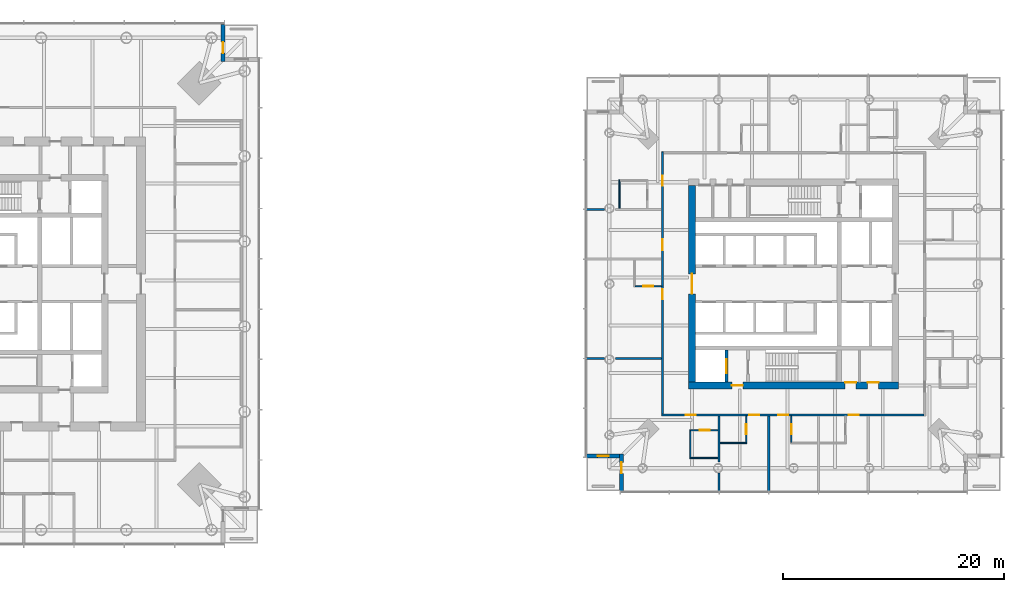
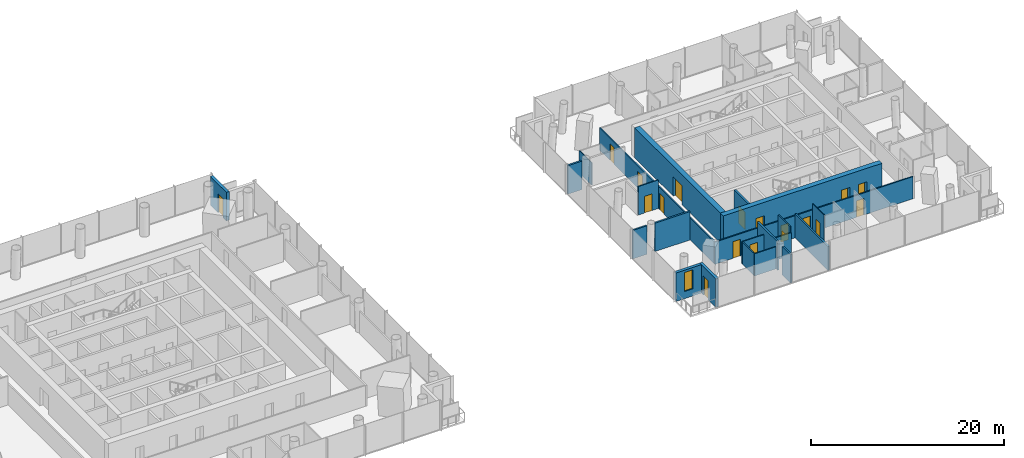
# One storey, part 12 of 18: 22 walls, 18 doors, 1 window, 19 openings.
"""IFC4 building model written with IfcOpenShell, lengths in metres."""

from ifc_helpers import new_model, si_unit, direction, frame, frame_2d, origin, place, context, subcontext, project, spatial, rectangle, extrude, material, layer, layer_set, type_object, element, fill, save


model = new_model("IFC4")

# Units and contexts
model_context = context("Model", 3, precision=1e-05, world=origin(), true_north=direction((0.0, 1.0)))
body_context = subcontext(model_context, "Body", "Model", "MODEL_VIEW")
ifc_project = project(units=[si_unit("LENGTHUNIT", "METRE"), si_unit("AREAUNIT", "SQUARE_METRE"), si_unit("VOLUMEUNIT", "CUBIC_METRE"), si_unit("PLANEANGLEUNIT", "RADIAN"), si_unit("MASSUNIT", "GRAM", prefix="KILO")], contexts=[model_context])

# Site, building, storey
site_placement = place(None, origin())
site = spatial("IfcSite", under=ifc_project, at=site_placement, CompositionType="ELEMENT")
building_placement = place(site_placement, origin())
building = spatial("IfcBuilding", under=site, at=building_placement, Name="Ostroluk Exchange", CompositionType="ELEMENT")
storey_placement = place(building_placement, frame((0.0, 0.0, 74.199951171875)))
storey = spatial("IfcBuildingStorey", under=building, at=storey_placement, Name="L18", CompositionType="ELEMENT", Elevation=74.199951171875)

# Wall, opening, door
ifc_material_1 = material(Name="Concrete C40/50", Category="concrete")
ifc_layer_1 = layer(ifc_material_1, 0.25)
ifc_layer_set_1 = layer_set([ifc_layer_1], Name="Core shaft wall 250")
wall_type_1 = type_object("IfcWallType", Name="Core shaft wall 250", PredefinedType="SHEAR", material=ifc_layer_set_1)
wall_1_placement = place(storey_placement, frame((110.925048828125, 37.10009765625, 0.0), z_axis=(0.0, 0.0, 1.0), x_axis=(0.0, 1.0, 0.0)))
wall_1 = element("IfcWall", 1, at=wall_1_placement, inside=storey, type_object=wall_type_1, Name="Firefighting lift shaft wall", PredefinedType="SHEAR", context=body_context, shape_type="SweptSolid", body=[
    extrude(rectangle(XDim=2.89990234375, YDim=0.25, at=frame_2d((1.449951171875, 0.0))), origin(), (0.0, 0.0, 1.0), 3.800048828125),
])
opening_1_placement = place(wall_1_placement, frame((0.800048828125, 0.0, 0.0)))
opening_1 = element("IfcOpeningElement", 2, at=opening_1_placement, cuts=wall_1, Name="Opening LD2", PredefinedType="OPENING", context=body_context, shape_type="SweptSolid", body=[
    extrude(rectangle(XDim=1.300048828125, YDim=2.199951171875, at=frame_2d((0.64990234375, 1.10009765625))), frame((0.0, 0.135009765625, 0.0), z_axis=(0.0, -1.0, 0.0), x_axis=(1.0, 0.0, 0.0)), (0.0, 0.0, 1.0), 0.27001953125),
])
ifc_material_2 = material(Name="Stainless steel", Category="steel")
door_type_1 = type_object("IfcDoorType", Name="Lift landing door E 60 1300 x 2200", OperationType="DOUBLE_DOOR_SLIDING", PredefinedType="DOOR", material=ifc_material_2)
door_1_placement = place(opening_1_placement, origin())
door_1 = element("IfcDoor", 3, at=door_1_placement, inside=storey, type_object=door_type_1, Name="Lift HF1 landing door", OperationType="DOUBLE_DOOR_SLIDING", OverallHeight=2.199951171875, OverallWidth=1.300048828125, PredefinedType="DOOR", context=body_context, shape_type="SweptSolid", body=[
    extrude(rectangle(XDim=1.300048828125, YDim=2.199951171875, at=frame_2d((0.64990234375, 1.10009765625))), frame((0.0, 0.02490234375, 0.0), z_axis=(0.0, -1.0, 0.0), x_axis=(1.0, 0.0, 0.0)), (0.0, 0.0, 1.0), 0.050048828125),
])
fill(opening_1, door_1)

# Wall, openings, doors
ifc_material_3 = material(Name="Concrete C50/60", Category="concrete")
ifc_layer_2 = layer(ifc_material_3, 0.60009765625)
ifc_layer_set_2 = layer_set([ifc_layer_2], Name="Core wall 600 C50/60")
wall_type_2 = type_object("IfcWallType", Name="Core wall 600 C50/60", PredefinedType="SHEAR", material=ifc_layer_set_2)
wall_2_placement = place(storey_placement, frame((107.5, 36.800048828125, 0.0), z_axis=(0.0, 0.0, 1.0), x_axis=(1.0, 0.0, 0.0)))
wall_2 = element("IfcWall", 4, at=wall_2_placement, inside=storey, type_object=wall_type_2, Name="T2 core wall S", PredefinedType="SHEAR", context=body_context, shape_type="SweptSolid", body=[
    extrude(rectangle(XDim=19.0, YDim=0.60009765625, at=frame_2d((9.5, 0.0))), origin(), (0.0, 0.0, 1.0), 3.800048828125),
])
opening_2_placement = place(wall_2_placement, frame((3.89990234375, 0.0, 0.0)))
opening_2 = element("IfcOpeningElement", 5, at=opening_2_placement, cuts=wall_2, Name="Opening FD60", PredefinedType="OPENING", context=body_context, shape_type="SweptSolid", body=[
    extrude(rectangle(XDim=1.0, YDim=2.10009765625, at=frame_2d((0.5, 1.050048828125))), frame((0.0, 0.31005859375, 0.0), z_axis=(0.0, -1.0, 0.0), x_axis=(1.0, 0.0, 0.0)), (0.0, 0.0, 1.0), 0.6201171875),
])
opening_3_placement = place(wall_2_placement, frame((14.152587890625, 0.0, 0.0)))
opening_3 = element("IfcOpeningElement", 6, at=opening_3_placement, cuts=wall_2, Name="Opening FD60", PredefinedType="OPENING", context=body_context, shape_type="SweptSolid", body=[
    extrude(rectangle(XDim=1.0, YDim=2.10009765625, at=frame_2d((0.5, 1.050048828125))), frame((0.0, 0.31005859375, 0.0), z_axis=(0.0, -1.0, 0.0), x_axis=(1.0, 0.0, 0.0)), (0.0, 0.0, 1.0), 0.6201171875),
])
opening_4_placement = place(wall_2_placement, frame((16.199951171875, 0.0, 0.0)))
opening_4 = element("IfcOpeningElement", 7, at=opening_4_placement, cuts=wall_2, Name="Opening FD60", PredefinedType="OPENING", context=body_context, shape_type="SweptSolid", body=[
    extrude(rectangle(XDim=1.0, YDim=2.10009765625, at=frame_2d((0.5, 1.050048828125))), frame((0.0, 0.31005859375, 0.0), z_axis=(0.0, -1.0, 0.0), x_axis=(1.0, 0.0, 0.0)), (0.0, 0.0, 1.0), 0.6201171875),
])
ifc_material_4 = material(Name="Steel", Category="steel")
door_type_2 = type_object("IfcDoorType", Name="Fire door EI 60 1000 x 2100", OperationType="SINGLE_SWING_LEFT", PredefinedType="DOOR", material=ifc_material_4)
door_2_placement = place(opening_2_placement, origin())
door_2 = element("IfcDoor", 8, at=door_2_placement, inside=storey, type_object=door_type_2, Name="Firefighting lobby door", OperationType="SINGLE_SWING_LEFT", OverallHeight=2.10009765625, OverallWidth=1.0, PredefinedType="DOOR", context=body_context, shape_type="SweptSolid", body=[
    extrude(rectangle(XDim=1.0, YDim=2.10009765625, at=frame_2d((0.5, 1.050048828125))), frame((0.0, 0.02490234375, 0.0), z_axis=(0.0, -1.0, 0.0), x_axis=(1.0, 0.0, 0.0)), (0.0, 0.0, 1.0), 0.050048828125),
])
fill(opening_2, door_2)
door_3_placement = place(opening_3_placement, origin())
door_3 = element("IfcDoor", 9, at=door_3_placement, inside=storey, type_object=door_type_2, Name="Housekeeping store door", OperationType="SINGLE_SWING_RIGHT", OverallHeight=2.10009765625, OverallWidth=1.0, PredefinedType="DOOR", context=body_context, shape_type="SweptSolid", body=[
    extrude(rectangle(XDim=1.0, YDim=2.10009765625, at=frame_2d((0.5, 1.050048828125))), frame((0.0, 0.2900390625, 0.0), z_axis=(0.0, -1.0, 0.0), x_axis=(1.0, 0.0, 0.0)), (0.0, 0.0, 1.0), 0.050048828125),
])
fill(opening_3, door_3)
door_4_placement = place(opening_4_placement, origin())
door_4 = element("IfcDoor", 10, at=door_4_placement, inside=storey, type_object=door_type_2, Name="Guest pantry door", OperationType="SINGLE_SWING_RIGHT", OverallHeight=2.10009765625, OverallWidth=1.0, PredefinedType="DOOR", context=body_context, shape_type="SweptSolid", body=[
    extrude(rectangle(XDim=1.0, YDim=2.10009765625, at=frame_2d((0.5, 1.050048828125))), frame((0.0, 0.2900390625, 0.0), z_axis=(0.0, -1.0, 0.0), x_axis=(1.0, 0.0, 0.0)), (0.0, 0.0, 1.0), 0.050048828125),
])
fill(opening_4, door_4)

# Wall, opening, door
wall_3_placement = place(storey_placement, frame((107.800048828125, 37.10009765625, 0.0), z_axis=(0.0, 0.0, 1.0), x_axis=(0.0, 1.0, 0.0)))
wall_3 = element("IfcWall", 11, at=wall_3_placement, inside=storey, type_object=wall_type_2, Name="T2 core wall W", PredefinedType="SHEAR", context=body_context, shape_type="SweptSolid", body=[
    extrude(rectangle(XDim=17.7998046875, YDim=0.60009765625, at=frame_2d((8.89990234375, 0.0))), origin(), (0.0, 0.0, 1.0), 3.800048828125),
])
opening_5_placement = place(wall_3_placement, frame((8.0, 0.0, 0.0)))
opening_5 = element("IfcOpeningElement", 12, at=opening_5_placement, cuts=wall_3, Name="Opening FD30D", PredefinedType="OPENING", context=body_context, shape_type="SweptSolid", body=[
    extrude(rectangle(XDim=1.800048828125, YDim=2.39990234375, at=frame_2d((0.89990234375, 1.199951171875))), frame((0.0, 0.31005859375, 0.0), z_axis=(0.0, -1.0, 0.0), x_axis=(1.0, 0.0, 0.0)), (0.0, 0.0, 1.0), 0.6201171875),
])
ifc_material_5 = material(Name="Timber", Category="wood")
door_type_3 = type_object("IfcDoorType", Name="Lobby double door EI 30 1800 x 2400", OperationType="DOUBLE_DOOR_SINGLE_SWING", PredefinedType="DOOR", material=ifc_material_5)
door_5_placement = place(opening_5_placement, origin())
door_5 = element("IfcDoor", 13, at=door_5_placement, inside=storey, type_object=door_type_3, Name="Lift lobby doors", OperationType="DOUBLE_DOOR_SINGLE_SWING", OverallHeight=2.39990234375, OverallWidth=1.800048828125, PredefinedType="DOOR", context=body_context, shape_type="SweptSolid", body=[
    extrude(rectangle(XDim=1.800048828125, YDim=2.39990234375, at=frame_2d((0.89990234375, 1.199951171875))), frame((0.0, 0.02490234375, 0.0), z_axis=(0.0, -1.0, 0.0), x_axis=(1.0, 0.0, 0.0)), (0.0, 0.0, 1.0), 0.050048828125),
])
fill(opening_5, door_5)

ifc_material_6 = material(Name="Limestone", Category="masonry")
ifc_layer_3 = layer(ifc_material_6, 0.35009765625)
ifc_layer_set_3 = layer_set([ifc_layer_3], Name="Limestone facade wall 350")
wall_type_3 = type_object("IfcWallType", Name="Limestone facade wall 350", PredefinedType="SOLIDWALL", material=ifc_layer_set_3)
wall_4_placement = place(storey_placement, frame((65.324951171875, 69.5, 0.0), z_axis=(0.0, 0.0, 1.0), x_axis=(0.0, -1.0, 0.0)))
wall_4 = element("IfcWall", 14, at=wall_4_placement, inside=storey, type_object=wall_type_3, Name="Office tower NE corner wall L18 a", PredefinedType="SOLIDWALL", context=body_context, shape_type="SweptSolid", body=[
    extrude(rectangle(XDim=3.35009765625, YDim=0.35009765625, at=frame_2d((1.675048828125, 0.0))), origin(), (0.0, 0.0, 1.0), 3.6201171875),
])
opening_6_placement = place(wall_4_placement, frame((1.60009765625, 0.0, 0.0)))
opening_6 = element("IfcOpeningElement", 15, at=opening_6_placement, cuts=wall_4, Name="Opening D-B1", PredefinedType="OPENING", context=body_context, shape_type="SweptSolid", body=[
    extrude(rectangle(XDim=1.0, YDim=2.39990234375, at=frame_2d((0.5, 1.199951171875))), frame((0.0, 0.18505859375, 0.0), z_axis=(0.0, -1.0, 0.0), x_axis=(1.0, 0.0, 0.0)), (0.0, 0.0, 1.0), 0.3701171875),
])
ifc_material_7 = material(Name="Bronze framed glazed door", Category="aluminium")
door_type_4 = type_object("IfcDoorType", Name="Balcony door 1000 x 2400", OperationType="SINGLE_SWING_LEFT", PredefinedType="DOOR", material=ifc_material_7)
door_6_placement = place(opening_6_placement, origin())
door_6 = element("IfcDoor", 16, at=door_6_placement, inside=storey, type_object=door_type_4, Name="Office tower NE balcony door L18", OperationType="SINGLE_SWING_RIGHT", OverallHeight=2.39990234375, OverallWidth=1.0, PredefinedType="DOOR", context=body_context, shape_type="SweptSolid", body=[
    extrude(rectangle(XDim=1.0, YDim=2.39990234375, at=frame_2d((0.5, 1.199951171875))), frame((0.0, 0.02490234375, 0.0), z_axis=(0.0, -1.0, 0.0), x_axis=(1.0, 0.0, 0.0)), (0.0, 0.0, 1.0), 0.050048828125),
])
fill(opening_6, door_6)

wall_5_placement = place(storey_placement, frame((101.425048828125, 27.25, 0.0), z_axis=(0.0, 0.0, 1.0), x_axis=(0.0, 1.0, 0.0)))
wall_5 = element("IfcWall", 17, at=wall_5_placement, inside=storey, type_object=wall_type_3, Name="Hotel tower SW corner wall L18 a", PredefinedType="SOLIDWALL", context=body_context, shape_type="SweptSolid", body=[
    extrude(rectangle(XDim=3.35009765625, YDim=0.35009765625, at=frame_2d((1.675048828125, 0.0))), origin(), (0.0, 0.0, 1.0), 3.60009765625),
])
opening_7_placement = place(wall_5_placement, frame((1.60009765625, 0.0, 0.0)))
opening_7 = element("IfcOpeningElement", 18, at=opening_7_placement, cuts=wall_5, Name="Opening D-B1", PredefinedType="OPENING", context=body_context, shape_type="SweptSolid", body=[
    extrude(rectangle(XDim=1.0, YDim=2.39990234375, at=frame_2d((0.5, 1.199951171875))), frame((0.0, 0.18505859375, 0.0), z_axis=(0.0, -1.0, 0.0), x_axis=(1.0, 0.0, 0.0)), (0.0, 0.0, 1.0), 0.3701171875),
])
door_7_placement = place(opening_7_placement, origin())
door_7 = element("IfcDoor", 19, at=door_7_placement, inside=storey, type_object=door_type_4, Name="Hotel tower SW balcony door L18", OperationType="SINGLE_SWING_RIGHT", OverallHeight=2.39990234375, OverallWidth=1.0, PredefinedType="DOOR", context=body_context, shape_type="SweptSolid", body=[
    extrude(rectangle(XDim=1.0, YDim=2.39990234375, at=frame_2d((0.5, 1.199951171875))), frame((0.0, 0.02490234375, 0.0), z_axis=(0.0, -1.0, 0.0), x_axis=(1.0, 0.0, 0.0)), (0.0, 0.0, 1.0), 0.050048828125),
])
fill(opening_7, door_7)

# Wall, opening, window
wall_6_placement = place(storey_placement, frame((101.25, 30.425048828125, 0.0), z_axis=(0.0, 0.0, 1.0), x_axis=(-1.0, 0.0, 0.0)))
wall_6 = element("IfcWall", 20, at=wall_6_placement, inside=storey, type_object=wall_type_3, Name="Hotel tower SW corner wall L18 b", PredefinedType="SOLIDWALL", context=body_context, shape_type="SweptSolid", body=[
    extrude(rectangle(XDim=3.0, YDim=0.35009765625, at=frame_2d((1.5, 0.0))), origin(), (0.0, 0.0, 1.0), 3.60009765625),
])
opening_8_placement = place(wall_6_placement, frame((1.0, 0.0, 0.89990234375)))
opening_8 = element("IfcOpeningElement", 21, at=opening_8_placement, cuts=wall_6, Name="Opening WN-L3", PredefinedType="OPENING", context=body_context, shape_type="SweptSolid", body=[
    extrude(rectangle(XDim=1.0, YDim=2.39990234375, at=frame_2d((0.5, 1.199951171875))), frame((0.0, 0.18505859375, 0.0), z_axis=(0.0, -1.0, 0.0), x_axis=(1.0, 0.0, 0.0)), (0.0, 0.0, 1.0), 0.3701171875),
])
ifc_material_8 = material(Name="Laminated clear glass", Category="glass")
window_type = type_object("IfcWindowType", Name="Hotel lancet window 1000 x 2400", PartitioningType="SINGLE_PANEL", PredefinedType="WINDOW", material=ifc_material_8)
window_placement = place(opening_8_placement, origin())
window = element("IfcWindow", 22, at=window_placement, inside=storey, type_object=window_type, Name="Hotel tower SW lancet window L18", OverallHeight=2.39990234375, OverallWidth=1.0, PartitioningType="SINGLE_PANEL", PredefinedType="WINDOW", context=body_context, shape_type="SweptSolid", body=[
    extrude(rectangle(XDim=1.0, YDim=2.39990234375, at=frame_2d((0.5, 1.199951171875))), frame((0.0, 0.030029296875, 0.0), z_axis=(0.0, -1.0, 0.0), x_axis=(1.0, 0.0, 0.0)), (0.0, 0.0, 1.0), 0.06005859375),
])
fill(opening_8, window)

# Wall
ifc_material_9 = material(Name="Gypsum plasterboard partition, moisture resistant", Category="gypsum")
ifc_layer_4 = layer(ifc_material_9, 0.1201171875)
ifc_layer_set_4 = layer_set([ifc_layer_4], Name="Plasterboard en-suite wall 120")
wall_type_4 = type_object("IfcWallType", Name="Plasterboard en-suite wall 120", PredefinedType="PARTITIONING", material=ifc_layer_set_4)
wall_7_placement = place(storey_placement, frame((101.22998046875, 52.85009765625, 0.0), z_axis=(0.0, 0.0, 1.0), x_axis=(0.0, 1.0, 0.0)))
element("IfcWall", 23, at=wall_7_placement, inside=storey, type_object=wall_type_4, Name="En-suite wall", PredefinedType="PARTITIONING", context=body_context, shape_type="SweptSolid", body=[
    extrude(rectangle(XDim=2.579833984375, YDim=0.1201171875, at=frame_2d((1.2900390625, 0.0))), origin(), (0.0, 0.0, 1.0), 2.800048828125),
])

# Wall, opening, door
wall_8_placement = place(storey_placement, frame((105.050048828125, 45.7900390625, 0.0), z_axis=(0.0, 0.0, 1.0), x_axis=(-1.0, 0.0, 0.0)))
wall_8 = element("IfcWall", 24, at=wall_8_placement, inside=storey, type_object=wall_type_4, Name="En-suite wall", PredefinedType="PARTITIONING", context=body_context, shape_type="SweptSolid", body=[
    extrude(rectangle(XDim=2.400146484375, YDim=0.1201171875, at=frame_2d((1.2001953125, 0.0))), origin(), (0.0, 0.0, 1.0), 3.60009765625),
])
opening_9_placement = place(wall_8_placement, frame((0.75, 0.0, 0.0)))
opening_9 = element("IfcOpeningElement", 25, at=opening_9_placement, cuts=wall_8, Name="Opening D-02", PredefinedType="OPENING", context=body_context, shape_type="SweptSolid", body=[
    extrude(rectangle(XDim=0.89990234375, YDim=2.10009765625, at=frame_2d((0.449951171875, 1.050048828125))), frame((0.0, 0.070068359375, 0.0), z_axis=(0.0, -1.0, 0.0), x_axis=(1.0, 0.0, 0.0)), (0.0, 0.0, 1.0), 0.14013671875),
])
ifc_material_10 = material(Name="Timber", Category="wood")
door_type_5 = type_object("IfcDoorType", Name="En-suite door 900 x 2100", OperationType="SINGLE_SWING_LEFT", PredefinedType="DOOR", material=ifc_material_10)
door_8_placement = place(opening_9_placement, origin())
door_8 = element("IfcDoor", 26, at=door_8_placement, inside=storey, type_object=door_type_5, Name="En-suite door 1808", OperationType="SINGLE_SWING_RIGHT", OverallHeight=2.10009765625, OverallWidth=0.89990234375, PredefinedType="DOOR", context=body_context, shape_type="SweptSolid", body=[
    extrude(rectangle(XDim=0.89990234375, YDim=2.10009765625, at=frame_2d((0.449951171875, 1.050048828125))), frame((0.0, 0.02490234375, 0.0), z_axis=(0.0, -1.0, 0.0), x_axis=(1.0, 0.0, 0.0)), (0.0, 0.0, 1.0), 0.050048828125),
])
fill(opening_9, door_8)

wall_9_placement = place(storey_placement, frame((110.14990234375, 32.75, 0.0), z_axis=(0.0, 0.0, 1.0), x_axis=(-1.0, 0.0, 0.0)))
wall_9 = element("IfcWall", 27, at=wall_9_placement, inside=storey, type_object=wall_type_4, Name="En-suite wall", PredefinedType="PARTITIONING", context=body_context, shape_type="SweptSolid", body=[
    extrude(rectangle(XDim=2.579833984375, YDim=0.1201171875, at=frame_2d((1.2900390625, 0.0))), origin(), (0.0, 0.0, 1.0), 2.800048828125),
])
opening_10_placement = place(wall_9_placement, frame((0.75, 0.0, 0.0)))
opening_10 = element("IfcOpeningElement", 28, at=opening_10_placement, cuts=wall_9, Name="Opening D-02", PredefinedType="OPENING", context=body_context, shape_type="SweptSolid", body=[
    extrude(rectangle(XDim=0.89990234375, YDim=2.10009765625, at=frame_2d((0.449951171875, 1.050048828125))), frame((0.0, 0.070068359375, 0.0), z_axis=(0.0, -1.0, 0.0), x_axis=(1.0, 0.0, 0.0)), (0.0, 0.0, 1.0), 0.14013671875),
])
door_9_placement = place(opening_10_placement, origin())
door_9 = element("IfcDoor", 29, at=door_9_placement, inside=storey, type_object=door_type_5, Name="En-suite door 1809", OperationType="SINGLE_SWING_LEFT", OverallHeight=2.10009765625, OverallWidth=0.89990234375, PredefinedType="DOOR", context=body_context, shape_type="SweptSolid", body=[
    extrude(rectangle(XDim=0.89990234375, YDim=2.10009765625, at=frame_2d((0.449951171875, 1.050048828125))), frame((0.0, 0.02490234375, 0.0), z_axis=(0.0, -1.0, 0.0), x_axis=(1.0, 0.0, 0.0)), (0.0, 0.0, 1.0), 0.050048828125),
])
fill(opening_10, door_9)

# Walls
wall_10_placement = place(storey_placement, frame((110.14990234375, 30.22998046875, 0.0), z_axis=(0.0, 0.0, 1.0), x_axis=(-1.0, 0.0, 0.0)))
element("IfcWall", 30, at=wall_10_placement, inside=storey, type_object=wall_type_4, Name="En-suite wall", PredefinedType="PARTITIONING", context=body_context, shape_type="SweptSolid", body=[
    extrude(rectangle(XDim=2.579833984375, YDim=0.1201171875, at=frame_2d((1.2900390625, 0.0))), origin(), (0.0, 0.0, 1.0), 2.800048828125),
])
wall_11_placement = place(storey_placement, frame((107.6298828125, 32.68994140625, 0.0), z_axis=(0.0, 0.0, 1.0), x_axis=(0.0, -1.0, 0.0)))
element("IfcWall", 31, at=wall_11_placement, inside=storey, type_object=wall_type_4, Name="En-suite wall", PredefinedType="PARTITIONING", context=body_context, shape_type="SweptSolid", body=[
    extrude(rectangle(XDim=2.39990234375, YDim=0.1201171875, at=frame_2d((1.199951171875, 0.0))), origin(), (0.0, 0.0, 1.0), 2.800048828125),
])
wall_12_placement = place(storey_placement, frame((110.35009765625, 31.590087890625, 0.0), z_axis=(0.0, 0.0, 1.0), x_axis=(1.0, 0.0, 0.0)))
element("IfcWall", 32, at=wall_12_placement, inside=storey, type_object=wall_type_4, Name="En-suite wall", PredefinedType="PARTITIONING", context=body_context, shape_type="SweptSolid", body=[
    extrude(rectangle(XDim=2.419921875, YDim=0.1201171875, at=frame_2d((1.2099609375, 0.0))), origin(), (0.0, 0.0, 1.0), 2.84716796875),
])

# Wall, opening, door
wall_13_placement = place(storey_placement, frame((112.7099609375, 34.050048828125, 0.0), z_axis=(0.0, 0.0, 1.0), x_axis=(0.0, -1.0, 0.0)))
wall_13 = element("IfcWall", 33, at=wall_13_placement, inside=storey, type_object=wall_type_4, Name="En-suite wall", PredefinedType="PARTITIONING", context=body_context, shape_type="SweptSolid", body=[
    extrude(rectangle(XDim=2.400146484375, YDim=0.1201171875, at=frame_2d((1.2001953125, 0.0))), origin(), (0.0, 0.0, 1.0), 3.60009765625),
])
opening_11_placement = place(wall_13_placement, frame((0.75, 0.0, 0.0)))
opening_11 = element("IfcOpeningElement", 34, at=opening_11_placement, cuts=wall_13, Name="Opening D-02", PredefinedType="OPENING", context=body_context, shape_type="SweptSolid", body=[
    extrude(rectangle(XDim=0.89990234375, YDim=2.10009765625, at=frame_2d((0.449951171875, 1.050048828125))), frame((0.0, 0.070068359375, 0.0), z_axis=(0.0, -1.0, 0.0), x_axis=(1.0, 0.0, 0.0)), (0.0, 0.0, 1.0), 0.14013671875),
])
door_10_placement = place(opening_11_placement, origin())
door_10 = element("IfcDoor", 35, at=door_10_placement, inside=storey, type_object=door_type_5, Name="En-suite door 1810", OperationType="SINGLE_SWING_RIGHT", OverallHeight=2.10009765625, OverallWidth=0.89990234375, PredefinedType="DOOR", context=body_context, shape_type="SweptSolid", body=[
    extrude(rectangle(XDim=0.89990234375, YDim=2.10009765625, at=frame_2d((0.449951171875, 1.050048828125))), frame((0.0, 0.02490234375, 0.0), z_axis=(0.0, -1.0, 0.0), x_axis=(1.0, 0.0, 0.0)), (0.0, 0.0, 1.0), 0.050048828125),
])
fill(opening_11, door_10)

wall_14_placement = place(storey_placement, frame((116.7900390625, 34.050048828125, 0.0), z_axis=(0.0, 0.0, 1.0), x_axis=(0.0, -1.0, 0.0)))
wall_14 = element("IfcWall", 36, at=wall_14_placement, inside=storey, type_object=wall_type_4, Name="En-suite wall", PredefinedType="PARTITIONING", context=body_context, shape_type="SweptSolid", body=[
    extrude(rectangle(XDim=2.400146484375, YDim=0.1201171875, at=frame_2d((1.2001953125, 0.0))), origin(), (0.0, 0.0, 1.0), 3.60009765625),
])
opening_12_placement = place(wall_14_placement, frame((0.75, 0.0, 0.0)))
opening_12 = element("IfcOpeningElement", 37, at=opening_12_placement, cuts=wall_14, Name="Opening D-02", PredefinedType="OPENING", context=body_context, shape_type="SweptSolid", body=[
    extrude(rectangle(XDim=0.89990234375, YDim=2.10009765625, at=frame_2d((0.449951171875, 1.050048828125))), frame((0.0, 0.070068359375, 0.0), z_axis=(0.0, -1.0, 0.0), x_axis=(1.0, 0.0, 0.0)), (0.0, 0.0, 1.0), 0.14013671875),
])
door_11_placement = place(opening_12_placement, origin())
door_11 = element("IfcDoor", 38, at=door_11_placement, inside=storey, type_object=door_type_5, Name="En-suite door 1811", OperationType="SINGLE_SWING_RIGHT", OverallHeight=2.10009765625, OverallWidth=0.89990234375, PredefinedType="DOOR", context=body_context, shape_type="SweptSolid", body=[
    extrude(rectangle(XDim=0.89990234375, YDim=2.10009765625, at=frame_2d((0.449951171875, 1.050048828125))), frame((0.0, 0.02490234375, 0.0), z_axis=(0.0, -1.0, 0.0), x_axis=(1.0, 0.0, 0.0)), (0.0, 0.0, 1.0), 0.050048828125),
])
fill(opening_12, door_11)

# Wall, openings, doors
ifc_material_11 = material(Name="Gypsum plasterboard partition", Category="gypsum")
ifc_layer_5 = layer(ifc_material_11, 0.14990234375)
ifc_layer_set_5 = layer_set([ifc_layer_5], Name="Plasterboard partition 150")
wall_type_5 = type_object("IfcWallType", Name="Plasterboard partition 150", PredefinedType="PARTITIONING", material=ifc_layer_set_5)
wall_15_placement = place(storey_placement, frame((105.125, 57.949951171875, 0.0), z_axis=(0.0, 0.0, 1.0), x_axis=(0.0, -1.0, 0.0)))
wall_15 = element("IfcWall", 39, at=wall_15_placement, inside=storey, type_object=wall_type_5, Name="Corridor wall", PredefinedType="PARTITIONING", context=body_context, shape_type="SweptSolid", body=[
    extrude(rectangle(XDim=23.75, YDim=0.14990234375, at=frame_2d((11.875, 0.0))), origin(), (0.0, 0.0, 1.0), 2.800048828125),
])
opening_13_placement = place(wall_15_placement, frame((2.175048828125, 0.0, 0.0)))
opening_13 = element("IfcOpeningElement", 40, at=opening_13_placement, cuts=wall_15, Name="Opening D-01", PredefinedType="OPENING", context=body_context, shape_type="SweptSolid", body=[
    extrude(rectangle(XDim=0.89990234375, YDim=2.10009765625, at=frame_2d((0.449951171875, 1.050048828125))), frame((0.0, 0.0849609375, 0.0), z_axis=(0.0, -1.0, 0.0), x_axis=(1.0, 0.0, 0.0)), (0.0, 0.0, 1.0), 0.169921875),
])
opening_14_placement = place(wall_15_placement, frame((7.89990234375, 0.0, 0.0)))
opening_14 = element("IfcOpeningElement", 41, at=opening_14_placement, cuts=wall_15, Name="Opening D-03", PredefinedType="OPENING", context=body_context, shape_type="SweptSolid", body=[
    extrude(rectangle(XDim=1.0, YDim=2.10009765625, at=frame_2d((0.5, 1.050048828125))), frame((0.0, 0.0849609375, 0.0), z_axis=(0.0, -1.0, 0.0), x_axis=(1.0, 0.0, 0.0)), (0.0, 0.0, 1.0), 0.169921875),
])
opening_15_placement = place(wall_15_placement, frame((12.449951171875, 0.0, 0.0)))
opening_15 = element("IfcOpeningElement", 42, at=opening_15_placement, cuts=wall_15, Name="Opening D-01", PredefinedType="OPENING", context=body_context, shape_type="SweptSolid", body=[
    extrude(rectangle(XDim=0.89990234375, YDim=2.10009765625, at=frame_2d((0.449951171875, 1.050048828125))), frame((0.0, 0.0849609375, 0.0), z_axis=(0.0, -1.0, 0.0), x_axis=(1.0, 0.0, 0.0)), (0.0, 0.0, 1.0), 0.169921875),
])
ifc_material_12 = material(Name="Timber", Category="wood")
door_type_6 = type_object("IfcDoorType", Name="Hotel room door EI 30 Sa 900 x 2100", OperationType="SINGLE_SWING_LEFT", PredefinedType="DOOR", material=ifc_material_12)
door_12_placement = place(opening_13_placement, origin())
door_12 = element("IfcDoor", 43, at=door_12_placement, inside=storey, type_object=door_type_6, Name="Room door 1807", OperationType="SINGLE_SWING_LEFT", OverallHeight=2.10009765625, OverallWidth=0.89990234375, PredefinedType="DOOR", context=body_context, shape_type="SweptSolid", body=[
    extrude(rectangle(XDim=0.89990234375, YDim=2.10009765625, at=frame_2d((0.449951171875, 1.050048828125))), frame((0.0, 0.02490234375, 0.0), z_axis=(0.0, -1.0, 0.0), x_axis=(1.0, 0.0, 0.0)), (0.0, 0.0, 1.0), 0.050048828125),
])
fill(opening_13, door_12)
door_13_placement = place(opening_15_placement, origin())
door_13 = element("IfcDoor", 44, at=door_13_placement, inside=storey, type_object=door_type_6, Name="Room door 1808", OperationType="SINGLE_SWING_RIGHT", OverallHeight=2.10009765625, OverallWidth=0.89990234375, PredefinedType="DOOR", context=body_context, shape_type="SweptSolid", body=[
    extrude(rectangle(XDim=0.89990234375, YDim=2.10009765625, at=frame_2d((0.449951171875, 1.050048828125))), frame((0.0, 0.02490234375, 0.0), z_axis=(0.0, -1.0, 0.0), x_axis=(1.0, 0.0, 0.0)), (0.0, 0.0, 1.0), 0.050048828125),
])
fill(opening_15, door_13)
ifc_material_13 = material(Name="Timber", Category="wood")
door_type_7 = type_object("IfcDoorType", Name="Internal door 1000 x 2100", OperationType="SINGLE_SWING_LEFT", PredefinedType="DOOR", material=ifc_material_13)
door_14_placement = place(opening_14_placement, origin())
door_14 = element("IfcDoor", 45, at=door_14_placement, inside=storey, type_object=door_type_7, Name="Housekeeping store door", OperationType="SINGLE_SWING_LEFT", OverallHeight=2.10009765625, OverallWidth=1.0, PredefinedType="DOOR", context=body_context, shape_type="SweptSolid", body=[
    extrude(rectangle(XDim=1.0, YDim=2.10009765625, at=frame_2d((0.5, 1.050048828125))), frame((0.0, 0.02490234375, 0.0), z_axis=(0.0, -1.0, 0.0), x_axis=(1.0, 0.0, 0.0)), (0.0, 0.0, 1.0), 0.050048828125),
])
fill(opening_14, door_14)

wall_16_placement = place(storey_placement, frame((105.050048828125, 34.125, 0.0), z_axis=(0.0, 0.0, 1.0), x_axis=(1.0, 0.0, 0.0)))
wall_16 = element("IfcWall", 46, at=wall_16_placement, inside=storey, type_object=wall_type_5, Name="Corridor wall", PredefinedType="PARTITIONING", context=body_context, shape_type="SweptSolid", body=[
    extrude(rectangle(XDim=23.75, YDim=0.14990234375, at=frame_2d((11.875, 0.0))), origin(), (0.0, 0.0, 1.0), 2.800048828125),
])
opening_16_placement = place(wall_16_placement, frame((2.175048828125, 0.0, 0.0)))
opening_16 = element("IfcOpeningElement", 47, at=opening_16_placement, cuts=wall_16, Name="Opening D-01", PredefinedType="OPENING", context=body_context, shape_type="SweptSolid", body=[
    extrude(rectangle(XDim=0.89990234375, YDim=2.10009765625, at=frame_2d((0.449951171875, 1.050048828125))), frame((0.0, 0.0849609375, 0.0), z_axis=(0.0, -1.0, 0.0), x_axis=(1.0, 0.0, 0.0)), (0.0, 0.0, 1.0), 0.169921875),
])
opening_17_placement = place(wall_16_placement, frame((7.949951171875, 0.0, 0.0)))
opening_17 = element("IfcOpeningElement", 48, at=opening_17_placement, cuts=wall_16, Name="Opening D-01", PredefinedType="OPENING", context=body_context, shape_type="SweptSolid", body=[
    extrude(rectangle(XDim=0.89990234375, YDim=2.10009765625, at=frame_2d((0.449951171875, 1.050048828125))), frame((0.0, 0.0849609375, 0.0), z_axis=(0.0, -1.0, 0.0), x_axis=(1.0, 0.0, 0.0)), (0.0, 0.0, 1.0), 0.169921875),
])
opening_18_placement = place(wall_16_placement, frame((10.550048828125, 0.0, 0.0)))
opening_18 = element("IfcOpeningElement", 49, at=opening_18_placement, cuts=wall_16, Name="Opening D-01", PredefinedType="OPENING", context=body_context, shape_type="SweptSolid", body=[
    extrude(rectangle(XDim=0.89990234375, YDim=2.10009765625, at=frame_2d((0.449951171875, 1.050048828125))), frame((0.0, 0.0849609375, 0.0), z_axis=(0.0, -1.0, 0.0), x_axis=(1.0, 0.0, 0.0)), (0.0, 0.0, 1.0), 0.169921875),
])
opening_19_placement = place(wall_16_placement, frame((16.949951171875, 0.0, 0.0)))
opening_19 = element("IfcOpeningElement", 50, at=opening_19_placement, cuts=wall_16, Name="Opening D-01", PredefinedType="OPENING", context=body_context, shape_type="SweptSolid", body=[
    extrude(rectangle(XDim=0.89990234375, YDim=2.10009765625, at=frame_2d((0.449951171875, 1.050048828125))), frame((0.0, 0.0849609375, 0.0), z_axis=(0.0, -1.0, 0.0), x_axis=(1.0, 0.0, 0.0)), (0.0, 0.0, 1.0), 0.169921875),
])
door_15_placement = place(opening_16_placement, origin())
door_15 = element("IfcDoor", 51, at=door_15_placement, inside=storey, type_object=door_type_6, Name="Room door 1809", OperationType="SINGLE_SWING_LEFT", OverallHeight=2.10009765625, OverallWidth=0.89990234375, PredefinedType="DOOR", context=body_context, shape_type="SweptSolid", body=[
    extrude(rectangle(XDim=0.89990234375, YDim=2.10009765625, at=frame_2d((0.449951171875, 1.050048828125))), frame((0.0, 0.02490234375, 0.0), z_axis=(0.0, -1.0, 0.0), x_axis=(1.0, 0.0, 0.0)), (0.0, 0.0, 1.0), 0.050048828125),
])
fill(opening_16, door_15)
door_16_placement = place(opening_17_placement, origin())
door_16 = element("IfcDoor", 52, at=door_16_placement, inside=storey, type_object=door_type_6, Name="Room door 1810", OperationType="SINGLE_SWING_LEFT", OverallHeight=2.10009765625, OverallWidth=0.89990234375, PredefinedType="DOOR", context=body_context, shape_type="SweptSolid", body=[
    extrude(rectangle(XDim=0.89990234375, YDim=2.10009765625, at=frame_2d((0.449951171875, 1.050048828125))), frame((0.0, 0.02490234375, 0.0), z_axis=(0.0, -1.0, 0.0), x_axis=(1.0, 0.0, 0.0)), (0.0, 0.0, 1.0), 0.050048828125),
])
fill(opening_17, door_16)
door_17_placement = place(opening_18_placement, origin())
door_17 = element("IfcDoor", 53, at=door_17_placement, inside=storey, type_object=door_type_6, Name="Room door 1811", OperationType="SINGLE_SWING_LEFT", OverallHeight=2.10009765625, OverallWidth=0.89990234375, PredefinedType="DOOR", context=body_context, shape_type="SweptSolid", body=[
    extrude(rectangle(XDim=0.89990234375, YDim=2.10009765625, at=frame_2d((0.449951171875, 1.050048828125))), frame((0.0, 0.02490234375, 0.0), z_axis=(0.0, -1.0, 0.0), x_axis=(1.0, 0.0, 0.0)), (0.0, 0.0, 1.0), 0.050048828125),
])
fill(opening_18, door_17)
door_18_placement = place(opening_19_placement, origin())
door_18 = element("IfcDoor", 54, at=door_18_placement, inside=storey, type_object=door_type_6, Name="Room door 1812", OperationType="SINGLE_SWING_RIGHT", OverallHeight=2.10009765625, OverallWidth=0.89990234375, PredefinedType="DOOR", context=body_context, shape_type="SweptSolid", body=[
    extrude(rectangle(XDim=0.89990234375, YDim=2.10009765625, at=frame_2d((0.449951171875, 1.050048828125))), frame((0.0, 0.02490234375, 0.0), z_axis=(0.0, -1.0, 0.0), x_axis=(1.0, 0.0, 0.0)), (0.0, 0.0, 1.0), 0.050048828125),
])
fill(opening_19, door_18)

# Walls
ifc_material_14 = material(Name="Gypsum plasterboard partition", Category="gypsum")
ifc_layer_6 = layer(ifc_material_14, 0.199951171875)
ifc_layer_set_6 = layer_set([ifc_layer_6], Name="Plasterboard party wall 200")
wall_type_6 = type_object("IfcWallType", Name="Plasterboard party wall 200", PredefinedType="PARTITIONING", material=ifc_layer_set_6)
wall_17_placement = place(storey_placement, frame((99.88671875, 52.75, 0.0), z_axis=(0.0, 0.0, 1.0), x_axis=(-1.0, 0.0, 0.0)))
element("IfcWall", 55, at=wall_17_placement, inside=storey, type_object=wall_type_6, Name="Party wall", PredefinedType="PARTITIONING", context=body_context, shape_type="SweptSolid", body=[
    extrude(rectangle(XDim=1.6767578125, YDim=0.199951171875, at=frame_2d((0.83837890625, 0.0))), origin(), (0.0, 0.0, 1.0), 3.60009765625),
])
wall_18_placement = place(storey_placement, frame((105.050048828125, 39.25, 0.0), z_axis=(0.0, 0.0, 1.0), x_axis=(-1.0, 0.0, 0.0)))
element("IfcWall", 56, at=wall_18_placement, inside=storey, type_object=wall_type_6, Name="Party wall", PredefinedType="PARTITIONING", context=body_context, shape_type="SweptSolid", body=[
    extrude(rectangle(XDim=4.186767578125, YDim=0.199951171875, at=frame_2d((2.09326171875, 0.0))), origin(), (0.0, 0.0, 1.0), 3.60009765625),
])
wall_19_placement = place(storey_placement, frame((99.88671875, 39.25, 0.0), z_axis=(0.0, 0.0, 1.0), x_axis=(-1.0, 0.0, 0.0)))
element("IfcWall", 57, at=wall_19_placement, inside=storey, type_object=wall_type_6, Name="Party wall", PredefinedType="PARTITIONING", context=body_context, shape_type="SweptSolid", body=[
    extrude(rectangle(XDim=1.6767578125, YDim=0.199951171875, at=frame_2d((0.83837890625, 0.0))), origin(), (0.0, 0.0, 1.0), 3.60009765625),
])
wall_20_placement = place(storey_placement, frame((110.25, 34.050048828125, 0.0), z_axis=(0.0, 0.0, 1.0), x_axis=(0.0, -1.0, 0.0)))
element("IfcWall", 58, at=wall_20_placement, inside=storey, type_object=wall_type_6, Name="Party wall", PredefinedType="PARTITIONING", context=body_context, shape_type="SweptSolid", body=[
    extrude(rectangle(XDim=4.186767578125, YDim=0.199951171875, at=frame_2d((2.09326171875, 0.0))), origin(), (0.0, 0.0, 1.0), 3.60009765625),
])
wall_21_placement = place(storey_placement, frame((110.25, 28.88671875, 0.0), z_axis=(0.0, 0.0, 1.0), x_axis=(0.0, -1.0, 0.0)))
element("IfcWall", 59, at=wall_21_placement, inside=storey, type_object=wall_type_6, Name="Party wall", PredefinedType="PARTITIONING", context=body_context, shape_type="SweptSolid", body=[
    extrude(rectangle(XDim=1.6767578125, YDim=0.199951171875, at=frame_2d((0.83837890625, 0.0))), origin(), (0.0, 0.0, 1.0), 3.60009765625),
])
wall_22_placement = place(storey_placement, frame((114.75, 34.050048828125, 0.0), z_axis=(0.0, 0.0, 1.0), x_axis=(0.0, -1.0, 0.0)))
element("IfcWall", 60, at=wall_22_placement, inside=storey, type_object=wall_type_6, Name="Party wall", PredefinedType="PARTITIONING", context=body_context, shape_type="SweptSolid", body=[
    extrude(rectangle(XDim=6.840087890625, YDim=0.199951171875, at=frame_2d((3.419921875, 0.0))), origin(), (0.0, 0.0, 1.0), 3.050048828125),
])

save(model, "model.ifc")
